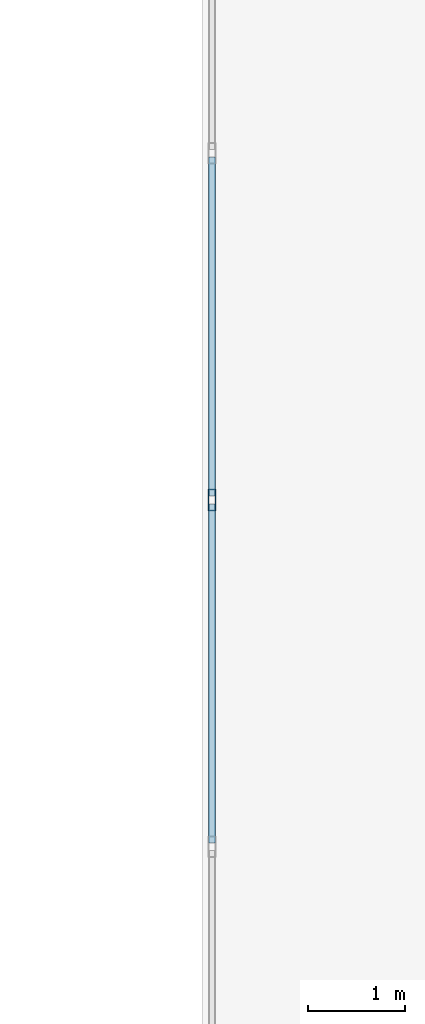
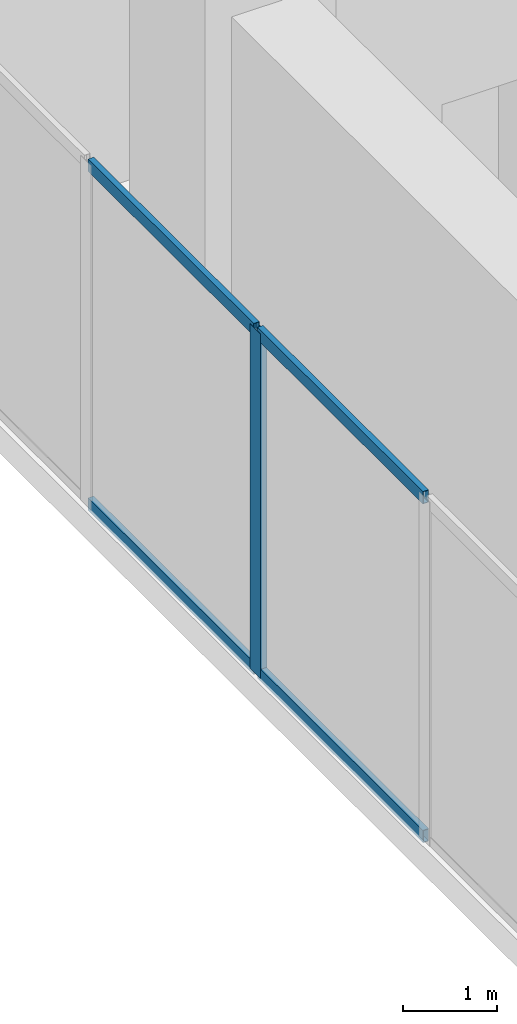
# One storey, part 10 of 32: 5 members, 1 element without a shape of its own.
"""IFC4 building model written with IfcOpenShell, lengths in metres."""

from ifc_helpers import new_model, si_unit, direction, frame, origin, origin_2d, place, context, subcontext, project, spatial, hollow_rectangle, extrude, source, transform, mapped, material, layer, layer_set, material_profile, profile_set, type_object, type_shapes, element, aggregate, save


model = new_model("IFC4")

# Units and contexts
model_context = context("Model", 3, precision=1e-05, world=origin(), true_north=direction((0.0, 1.0)))
body_context = subcontext(model_context, "Body", "Model", "MODEL_VIEW")
ifc_project = project(units=[si_unit("LENGTHUNIT", "METRE"), si_unit("AREAUNIT", "SQUARE_METRE"), si_unit("VOLUMEUNIT", "CUBIC_METRE"), si_unit("PLANEANGLEUNIT", "RADIAN"), si_unit("MASSUNIT", "GRAM", prefix="KILO")], contexts=[model_context])

# Site, building, storey
site_placement = place(None, origin())
site = spatial("IfcSite", under=ifc_project, at=site_placement, CompositionType="ELEMENT")
building_placement = place(site_placement, origin())
building = spatial("IfcBuilding", under=site, at=building_placement, Name="Haelvirn Gate Laboratories", CompositionType="ELEMENT")
storey_placement = place(building_placement, frame((0.0, 0.0, 5.39990234375)))
storey = spatial("IfcBuildingStorey", under=building, at=storey_placement, Name="L02", CompositionType="ELEMENT", Elevation=5.39990234375)

# Curtain wall, members
ifc_material_1 = material(Name="Anodised bronze unitised aluminium & triple low-E glass", Category="aluminium")
ifc_layer = layer(ifc_material_1, 0.18798828125, Name="CW-SYS-1")
ifc_layer_set = layer_set([ifc_layer], Name="Anodised bronze unitised aluminium & triple low-E glass")
curtain_wall_type = type_object("IfcCurtainWallType", Name="CW-SYS-1", PredefinedType="NOTDEFINED", material=ifc_layer_set)
curtain_wall_placement = place(storey_placement, origin())
curtain_wall = element("IfcCurtainWall", 1, at=curtain_wall_placement, inside=storey, type_object=curtain_wall_type, Name="L02 Unitised Curtain Wall CW-L02-P1-E07", PredefinedType="NOTDEFINED")
ifc_material_2 = material(Name="Extruded aluminium 6063-T6 (anodised bronze)", Category="aluminium")
ifc_material_profile_1 = material_profile(ifc_material_2, hollow_rectangle(XDim=0.080078125, YDim=0.219970703125, WallThickness=0.006103515625, at=origin_2d()), Name="CWM-220x80x6")
ifc_profile_set_1 = profile_set([ifc_material_profile_1], Name="Extruded aluminium 6063-T6 (anodised bronze)")
member_type_1 = type_object("IfcMemberType", Name="CWM-T220", PredefinedType="MULLION", material=ifc_profile_set_1)
shared_shape_1 = source(origin(), body_context, "Body", "SweptSolid", [
    extrude(hollow_rectangle(XDim=0.080078125, YDim=0.219970703125, WallThickness=0.006103515625, at=origin_2d()), origin(), (0.0, 0.0, 1.0), 4.4501953125),
])
type_shapes(member_type_1, [shared_shape_1])
member_1_placement = place(storey_placement, frame((49.5, 27.8857421875, 0.0), z_axis=(0.0, 0.0, 1.0), x_axis=(1.0, 0.0, 0.0)))
member_1 = element("IfcMember", 2, at=member_1_placement, type_object=member_type_1, Name="CW1 mullion 7", PredefinedType="MULLION", context=body_context, shape_type="MappedRepresentation", body=[
    mapped(shared_shape_1, transform((0.0, 0.0, 0.0), scale=1.0)),
])
ifc_material_profile_2 = material_profile(ifc_material_2, hollow_rectangle(XDim=0.070068359375, YDim=0.159912109375, WallThickness=0.0048828125, at=origin_2d()), Name="CWT-160x70x5")
ifc_profile_set_2 = profile_set([ifc_material_profile_2], Name="Extruded aluminium 6063-T6 (anodised bronze)")
member_type_2 = type_object("IfcMemberType", Name="CWT-T160", PredefinedType="USERDEFINED", material=ifc_profile_set_2)
shared_shape_2 = source(origin(), body_context, "Body", "SweptSolid", [
    extrude(hollow_rectangle(XDim=0.070068359375, YDim=0.159912109375, WallThickness=0.0048828125, at=origin_2d()), origin(), (0.0, 0.0, 1.0), 3.505615234375),
])
type_shapes(member_type_2, [shared_shape_2])
member_2_placement = place(storey_placement, frame((49.5, 31.431396484375, 0.03515625), z_axis=(0.0, -1.0, 0.0), x_axis=(1.0, 0.0, 0.0)))
member_2 = element("IfcMember", 3, at=member_2_placement, type_object=member_type_2, Name="CW1 transom 6.1", ObjectType="TRANSOM", PredefinedType="USERDEFINED", context=body_context, shape_type="MappedRepresentation", body=[
    mapped(shared_shape_2, transform((0.0, 0.0, 0.0), scale=1.0)),
])
member_3_placement = place(storey_placement, frame((49.5, 31.431396484375, 4.4150390625), z_axis=(0.0, -1.0, 0.0), x_axis=(1.0, 0.0, 0.0)))
member_3 = element("IfcMember", 4, at=member_3_placement, type_object=member_type_2, Name="CW1 transom 6.2", ObjectType="TRANSOM", PredefinedType="USERDEFINED", context=body_context, shape_type="MappedRepresentation", body=[
    mapped(shared_shape_2, transform((0.0, 0.0, 0.0), scale=1.0)),
])
member_4_placement = place(storey_placement, frame((49.5, 27.845703125, 0.03515625), z_axis=(0.0, -1.0, 0.0), x_axis=(1.0, 0.0, 0.0)))
member_4 = element("IfcMember", 5, at=member_4_placement, type_object=member_type_2, Name="CW1 transom 7.1", ObjectType="TRANSOM", PredefinedType="USERDEFINED", context=body_context, shape_type="MappedRepresentation", body=[
    mapped(shared_shape_2, transform((0.0, 0.0, 0.0), scale=1.0)),
])
member_5_placement = place(storey_placement, frame((49.5, 27.845703125, 4.4150390625), z_axis=(0.0, -1.0, 0.0), x_axis=(1.0, 0.0, 0.0)))
member_5 = element("IfcMember", 6, at=member_5_placement, type_object=member_type_2, Name="CW1 transom 7.2", ObjectType="TRANSOM", PredefinedType="USERDEFINED", context=body_context, shape_type="MappedRepresentation", body=[
    mapped(shared_shape_2, transform((0.0, 0.0, 0.0), scale=1.0)),
])
aggregate(curtain_wall, [member_1, member_2, member_3, member_4, member_5])

save(model, "model.ifc")
